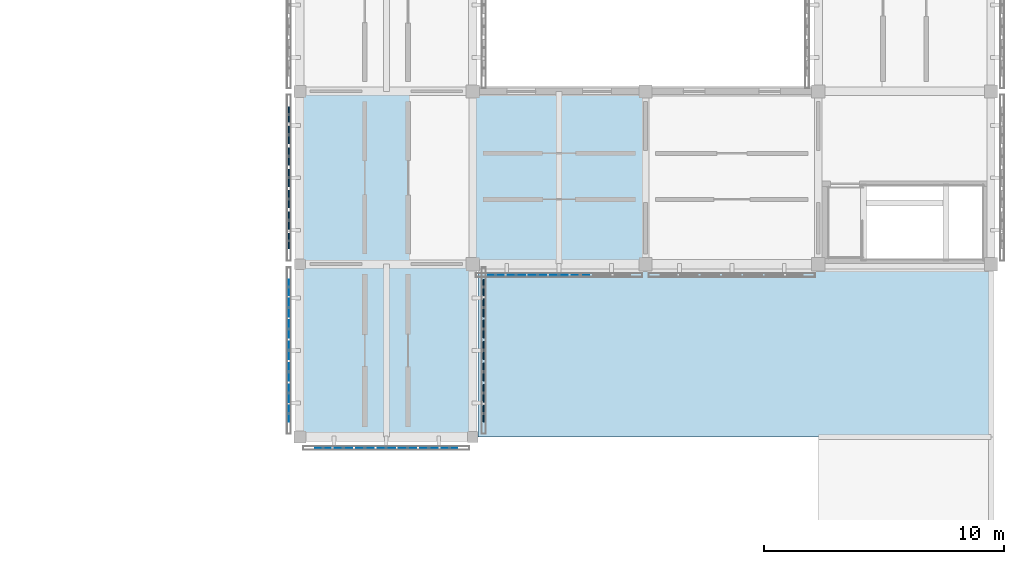
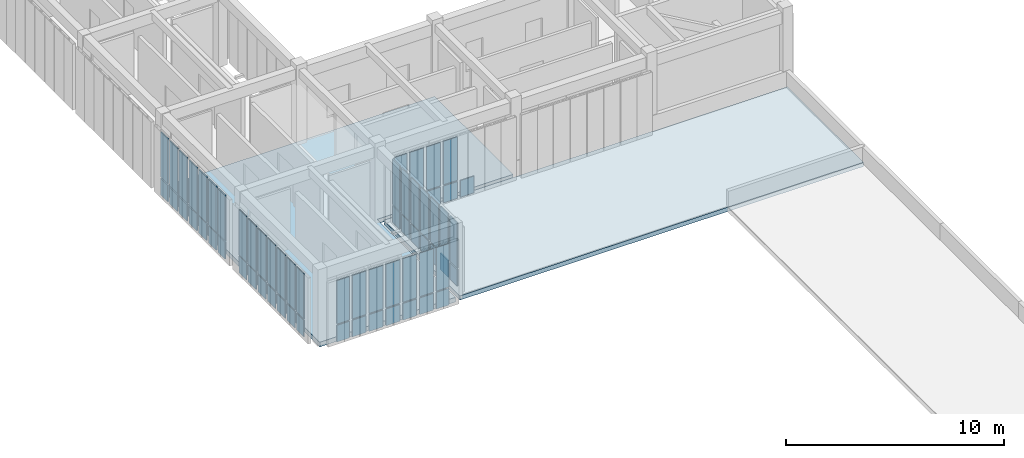
# One storey, part 55 of 91: 65 plates, 2 slabs, 5 elements without a shape of their own.
"""IFC4 building model written with IfcOpenShell, lengths in metres."""

from ifc_helpers import new_model, si_unit, direction, frame, origin, origin_2d, place, context, subcontext, project, spatial, polyline, rectangle, outline, extrude, material, layer, layer_set, type_object, element, aggregate, save


model = new_model("IFC4")

# Units and contexts
model_context = context("Model", 3, precision=1e-05, world=origin(), true_north=direction((0.0, 1.0)))
body_context = subcontext(model_context, "Body", "Model", "MODEL_VIEW")
ifc_project = project(units=[si_unit("LENGTHUNIT", "METRE"), si_unit("AREAUNIT", "SQUARE_METRE"), si_unit("VOLUMEUNIT", "CUBIC_METRE"), si_unit("PLANEANGLEUNIT", "RADIAN"), si_unit("MASSUNIT", "GRAM", prefix="KILO")], contexts=[model_context])

# Site, building, storey
site_placement = place(None, origin())
site = spatial("IfcSite", under=ifc_project, at=site_placement, CompositionType="ELEMENT")
building_placement = place(site_placement, origin())
building = spatial("IfcBuilding", under=site, at=building_placement, Name="Aldebral Square Health Centre", CompositionType="ELEMENT")
storey_placement = place(building_placement, frame((0.0, 0.0, 9.0)))
storey = spatial("IfcBuildingStorey", under=building, at=storey_placement, Name="L02", CompositionType="ELEMENT", Elevation=9.0)

# Curtain wall, plates
ifc_material_1 = material(Name="Aluminium and low-E solar glass", Category="aluminium")
curtain_wall_type = type_object("IfcCurtainWallType", Name="CW-FIN-SYS", PredefinedType="USERDEFINED", material=ifc_material_1)
curtain_wall_1_placement = place(storey_placement, origin())
curtain_wall_1 = element("IfcCurtainWall", 1, at=curtain_wall_1_placement, inside=storey, type_object=curtain_wall_type, Name="L02 V5 finned curtain wall L02-V5-19-07-S", ObjectType="SOLAR_CURTAIN_WALL", PredefinedType="USERDEFINED")
ifc_material_2 = material(Name="Solar-control low-E double glass", Category="glass")
ifc_layer_1 = layer(ifc_material_2, 0.030029296875, Name="Solar-control low-E double glass", Category="glass")
ifc_layer_set_1 = layer_set([ifc_layer_1], Name="Solar-control low-E double glass")
plate_type_1 = type_object("IfcPlateType", Name="CWP-GLZ-2", PredefinedType="CURTAIN_PANEL", material=ifc_layer_set_1)
plate_1_placement = place(storey_placement, frame((137.765625, 49.93994140625, 0.074951171875), z_axis=(0.0, 0.0, 1.0), x_axis=(1.0, 0.0, 0.0)))
plate_1 = element("IfcPlate", 2, at=plate_1_placement, type_object=plate_type_1, Name="CW1 panel 1.1", PredefinedType="CURTAIN_PANEL", context=body_context, shape_type="SweptSolid", body=[
    extrude(rectangle(XDim=0.6513671875, YDim=0.030029296875, at=origin_2d()), origin(), (0.0, 0.0, 1.0), 0.9375),
])
plate_2_placement = place(storey_placement, frame((137.765625, 49.93994140625, 1.08740234375), z_axis=(0.0, 0.0, 1.0), x_axis=(1.0, 0.0, 0.0)))
plate_2 = element("IfcPlate", 3, at=plate_2_placement, type_object=plate_type_1, Name="CW1 panel 1.2", PredefinedType="CURTAIN_PANEL", context=body_context, shape_type="SweptSolid", body=[
    extrude(rectangle(XDim=0.6513671875, YDim=0.030029296875, at=origin_2d()), origin(), (0.0, 0.0, 1.0), 2.427490234375),
])
plate_3_placement = place(storey_placement, frame((138.6171875, 49.93994140625, 0.074951171875), z_axis=(0.0, 0.0, 1.0), x_axis=(1.0, 0.0, 0.0)))
plate_3 = element("IfcPlate", 4, at=plate_3_placement, type_object=plate_type_1, Name="CW1 panel 2.1", PredefinedType="CURTAIN_PANEL", context=body_context, shape_type="SweptSolid", body=[
    extrude(rectangle(XDim=0.7314453125, YDim=0.030029296875, at=origin_2d()), origin(), (0.0, 0.0, 1.0), 0.9375),
])
plate_4_placement = place(storey_placement, frame((138.6171875, 49.93994140625, 1.08740234375), z_axis=(0.0, 0.0, 1.0), x_axis=(1.0, 0.0, 0.0)))
plate_4 = element("IfcPlate", 5, at=plate_4_placement, type_object=plate_type_1, Name="CW1 panel 2.2", PredefinedType="CURTAIN_PANEL", context=body_context, shape_type="SweptSolid", body=[
    extrude(rectangle(XDim=0.7314453125, YDim=0.030029296875, at=origin_2d()), origin(), (0.0, 0.0, 1.0), 2.427490234375),
])
plate_5_placement = place(storey_placement, frame((139.508544921875, 49.93994140625, 0.074951171875), z_axis=(0.0, 0.0, 1.0), x_axis=(1.0, 0.0, 0.0)))
plate_5 = element("IfcPlate", 6, at=plate_5_placement, type_object=plate_type_1, Name="CW1 panel 3.1", PredefinedType="CURTAIN_PANEL", context=body_context, shape_type="SweptSolid", body=[
    extrude(rectangle(XDim=0.7314453125, YDim=0.030029296875, at=origin_2d()), origin(), (0.0, 0.0, 1.0), 0.9375),
])
plate_6_placement = place(storey_placement, frame((139.508544921875, 49.93994140625, 1.08740234375), z_axis=(0.0, 0.0, 1.0), x_axis=(1.0, 0.0, 0.0)))
plate_6 = element("IfcPlate", 7, at=plate_6_placement, type_object=plate_type_1, Name="CW1 panel 3.2", PredefinedType="CURTAIN_PANEL", context=body_context, shape_type="SweptSolid", body=[
    extrude(rectangle(XDim=0.7314453125, YDim=0.030029296875, at=origin_2d()), origin(), (0.0, 0.0, 1.0), 2.427490234375),
])
plate_7_placement = place(storey_placement, frame((140.39990234375, 49.93994140625, 0.074951171875), z_axis=(0.0, 0.0, 1.0), x_axis=(1.0, 0.0, 0.0)))
plate_7 = element("IfcPlate", 8, at=plate_7_placement, type_object=plate_type_1, Name="CW1 panel 4.1", PredefinedType="CURTAIN_PANEL", context=body_context, shape_type="SweptSolid", body=[
    extrude(rectangle(XDim=0.7314453125, YDim=0.030029296875, at=origin_2d()), origin(), (0.0, 0.0, 1.0), 0.9375),
])
plate_8_placement = place(storey_placement, frame((140.39990234375, 49.93994140625, 1.08740234375), z_axis=(0.0, 0.0, 1.0), x_axis=(1.0, 0.0, 0.0)))
plate_8 = element("IfcPlate", 9, at=plate_8_placement, type_object=plate_type_1, Name="CW1 panel 4.2", PredefinedType="CURTAIN_PANEL", context=body_context, shape_type="SweptSolid", body=[
    extrude(rectangle(XDim=0.7314453125, YDim=0.030029296875, at=origin_2d()), origin(), (0.0, 0.0, 1.0), 2.427490234375),
])
plate_9_placement = place(storey_placement, frame((141.29150390625, 49.93994140625, 0.074951171875), z_axis=(0.0, 0.0, 1.0), x_axis=(1.0, 0.0, 0.0)))
plate_9 = element("IfcPlate", 10, at=plate_9_placement, type_object=plate_type_1, Name="CW1 panel 5.1", PredefinedType="CURTAIN_PANEL", context=body_context, shape_type="SweptSolid", body=[
    extrude(rectangle(XDim=0.7314453125, YDim=0.030029296875, at=origin_2d()), origin(), (0.0, 0.0, 1.0), 0.9375),
])
plate_10_placement = place(storey_placement, frame((141.29150390625, 49.93994140625, 1.08740234375), z_axis=(0.0, 0.0, 1.0), x_axis=(1.0, 0.0, 0.0)))
plate_10 = element("IfcPlate", 11, at=plate_10_placement, type_object=plate_type_1, Name="CW1 panel 5.2", PredefinedType="CURTAIN_PANEL", context=body_context, shape_type="SweptSolid", body=[
    extrude(rectangle(XDim=0.7314453125, YDim=0.030029296875, at=origin_2d()), origin(), (0.0, 0.0, 1.0), 2.427490234375),
])
plate_11_placement = place(storey_placement, frame((142.182861328125, 49.93994140625, 0.074951171875), z_axis=(0.0, 0.0, 1.0), x_axis=(1.0, 0.0, 0.0)))
plate_11 = element("IfcPlate", 12, at=plate_11_placement, type_object=plate_type_1, Name="CW1 panel 6.1", PredefinedType="CURTAIN_PANEL", context=body_context, shape_type="SweptSolid", body=[
    extrude(rectangle(XDim=0.7314453125, YDim=0.030029296875, at=origin_2d()), origin(), (0.0, 0.0, 1.0), 0.9375),
])
plate_12_placement = place(storey_placement, frame((142.182861328125, 49.93994140625, 1.08740234375), z_axis=(0.0, 0.0, 1.0), x_axis=(1.0, 0.0, 0.0)))
plate_12 = element("IfcPlate", 13, at=plate_12_placement, type_object=plate_type_1, Name="CW1 panel 6.2", PredefinedType="CURTAIN_PANEL", context=body_context, shape_type="SweptSolid", body=[
    extrude(rectangle(XDim=0.7314453125, YDim=0.030029296875, at=origin_2d()), origin(), (0.0, 0.0, 1.0), 2.427490234375),
])
plate_13_placement = place(storey_placement, frame((143.0341796875, 49.93994140625, 0.074951171875), z_axis=(0.0, 0.0, 1.0), x_axis=(1.0, 0.0, 0.0)))
plate_13 = element("IfcPlate", 14, at=plate_13_placement, type_object=plate_type_1, Name="CW1 panel 7.1", PredefinedType="CURTAIN_PANEL", context=body_context, shape_type="SweptSolid", body=[
    extrude(rectangle(XDim=0.6513671875, YDim=0.030029296875, at=origin_2d()), origin(), (0.0, 0.0, 1.0), 0.9375),
])
plate_14_placement = place(storey_placement, frame((143.0341796875, 49.93994140625, 1.08740234375), z_axis=(0.0, 0.0, 1.0), x_axis=(1.0, 0.0, 0.0)))
plate_14 = element("IfcPlate", 15, at=plate_14_placement, type_object=plate_type_1, Name="CW1 panel 7.2", PredefinedType="CURTAIN_PANEL", context=body_context, shape_type="SweptSolid", body=[
    extrude(rectangle(XDim=0.6513671875, YDim=0.030029296875, at=origin_2d()), origin(), (0.0, 0.0, 1.0), 2.427490234375),
])
aggregate(curtain_wall_1, [plate_1, plate_2, plate_3, plate_4, plate_5, plate_6, plate_7, plate_8, plate_9, plate_10, plate_11, plate_12, plate_13, plate_14])

curtain_wall_2_placement = place(storey_placement, origin())
curtain_wall_2 = element("IfcCurtainWall", 16, at=curtain_wall_2_placement, inside=storey, type_object=curtain_wall_type, Name="L02 V5 finned curtain wall L02-V5-20-08-S", ObjectType="SOLAR_CURTAIN_WALL", PredefinedType="USERDEFINED")
plate_15_placement = place(storey_placement, frame((144.9658203125, 57.139892578125, 0.074951171875), z_axis=(0.0, 0.0, 1.0), x_axis=(1.0, 0.0, 0.0)))
plate_15 = element("IfcPlate", 17, at=plate_15_placement, type_object=plate_type_1, Name="CW1 panel 1.1", PredefinedType="CURTAIN_PANEL", context=body_context, shape_type="SweptSolid", body=[
    extrude(rectangle(XDim=0.6513671875, YDim=0.030029296875, at=origin_2d()), origin(), (0.0, 0.0, 1.0), 0.9375),
])
plate_16_placement = place(storey_placement, frame((144.9658203125, 57.139892578125, 1.08740234375), z_axis=(0.0, 0.0, 1.0), x_axis=(1.0, 0.0, 0.0)))
plate_16 = element("IfcPlate", 18, at=plate_16_placement, type_object=plate_type_1, Name="CW1 panel 1.2", PredefinedType="CURTAIN_PANEL", context=body_context, shape_type="SweptSolid", body=[
    extrude(rectangle(XDim=0.6513671875, YDim=0.030029296875, at=origin_2d()), origin(), (0.0, 0.0, 1.0), 2.427490234375),
])
plate_17_placement = place(storey_placement, frame((145.817138671875, 57.139892578125, 0.074951171875), z_axis=(0.0, 0.0, 1.0), x_axis=(1.0, 0.0, 0.0)))
plate_17 = element("IfcPlate", 19, at=plate_17_placement, type_object=plate_type_1, Name="CW1 panel 2.1", PredefinedType="CURTAIN_PANEL", context=body_context, shape_type="SweptSolid", body=[
    extrude(rectangle(XDim=0.7314453125, YDim=0.030029296875, at=origin_2d()), origin(), (0.0, 0.0, 1.0), 0.9375),
])
plate_18_placement = place(storey_placement, frame((145.817138671875, 57.139892578125, 1.08740234375), z_axis=(0.0, 0.0, 1.0), x_axis=(1.0, 0.0, 0.0)))
plate_18 = element("IfcPlate", 20, at=plate_18_placement, type_object=plate_type_1, Name="CW1 panel 2.2", PredefinedType="CURTAIN_PANEL", context=body_context, shape_type="SweptSolid", body=[
    extrude(rectangle(XDim=0.7314453125, YDim=0.030029296875, at=origin_2d()), origin(), (0.0, 0.0, 1.0), 2.427490234375),
])
plate_19_placement = place(storey_placement, frame((146.70849609375, 57.139892578125, 0.074951171875), z_axis=(0.0, 0.0, 1.0), x_axis=(1.0, 0.0, 0.0)))
plate_19 = element("IfcPlate", 21, at=plate_19_placement, type_object=plate_type_1, Name="CW1 panel 3.1", PredefinedType="CURTAIN_PANEL", context=body_context, shape_type="SweptSolid", body=[
    extrude(rectangle(XDim=0.7314453125, YDim=0.030029296875, at=origin_2d()), origin(), (0.0, 0.0, 1.0), 0.9375),
])
plate_20_placement = place(storey_placement, frame((146.70849609375, 57.139892578125, 1.08740234375), z_axis=(0.0, 0.0, 1.0), x_axis=(1.0, 0.0, 0.0)))
plate_20 = element("IfcPlate", 22, at=plate_20_placement, type_object=plate_type_1, Name="CW1 panel 3.2", PredefinedType="CURTAIN_PANEL", context=body_context, shape_type="SweptSolid", body=[
    extrude(rectangle(XDim=0.7314453125, YDim=0.030029296875, at=origin_2d()), origin(), (0.0, 0.0, 1.0), 2.427490234375),
])
plate_21_placement = place(storey_placement, frame((147.60009765625, 57.139892578125, 0.074951171875), z_axis=(0.0, 0.0, 1.0), x_axis=(1.0, 0.0, 0.0)))
plate_21 = element("IfcPlate", 23, at=plate_21_placement, type_object=plate_type_1, Name="CW1 panel 4.1", PredefinedType="CURTAIN_PANEL", context=body_context, shape_type="SweptSolid", body=[
    extrude(rectangle(XDim=0.7314453125, YDim=0.030029296875, at=origin_2d()), origin(), (0.0, 0.0, 1.0), 0.9375),
])
plate_22_placement = place(storey_placement, frame((147.60009765625, 57.139892578125, 1.08740234375), z_axis=(0.0, 0.0, 1.0), x_axis=(1.0, 0.0, 0.0)))
plate_22 = element("IfcPlate", 24, at=plate_22_placement, type_object=plate_type_1, Name="CW1 panel 4.2", PredefinedType="CURTAIN_PANEL", context=body_context, shape_type="SweptSolid", body=[
    extrude(rectangle(XDim=0.7314453125, YDim=0.030029296875, at=origin_2d()), origin(), (0.0, 0.0, 1.0), 2.427490234375),
])
plate_23_placement = place(storey_placement, frame((148.491455078125, 57.139892578125, 0.074951171875), z_axis=(0.0, 0.0, 1.0), x_axis=(1.0, 0.0, 0.0)))
plate_23 = element("IfcPlate", 25, at=plate_23_placement, type_object=plate_type_1, Name="CW1 panel 5.1", PredefinedType="CURTAIN_PANEL", context=body_context, shape_type="SweptSolid", body=[
    extrude(rectangle(XDim=0.7314453125, YDim=0.030029296875, at=origin_2d()), origin(), (0.0, 0.0, 1.0), 0.9375),
])
aggregate(curtain_wall_2, [plate_15, plate_16, plate_17, plate_18, plate_19, plate_20, plate_21, plate_22, plate_23])

curtain_wall_3_placement = place(storey_placement, origin())
curtain_wall_3 = element("IfcCurtainWall", 26, at=curtain_wall_3_placement, inside=storey, type_object=curtain_wall_type, Name="L02 V5 finned curtain wall L02-V5-19-07-W", ObjectType="SOLAR_CURTAIN_WALL", PredefinedType="USERDEFINED")
ifc_layer_2 = layer(ifc_material_2, 0.0400390625, Name="Solar-control low-E double glass", Category="glass")
ifc_layer_set_2 = layer_set([ifc_layer_2], Name="Solar-control low-E double glass")
plate_type_2 = type_object("IfcPlateType", Name="CWP-GLZ-3", PredefinedType="CURTAIN_PANEL", material=ifc_layer_set_2)
plate_24_placement = place(storey_placement, frame((136.340087890625, 56.63427734375, 0.074951171875), z_axis=(0.0, 0.0, 1.0), x_axis=(0.0, -1.0, 0.0)))
plate_24 = element("IfcPlate", 27, at=plate_24_placement, type_object=plate_type_2, Name="CW1 panel 1.1", PredefinedType="CURTAIN_PANEL", context=body_context, shape_type="SweptSolid", body=[
    extrude(rectangle(XDim=0.6513671875, YDim=0.0400390625, at=origin_2d()), origin(), (0.0, 0.0, 1.0), 0.9375),
])
plate_25_placement = place(storey_placement, frame((136.340087890625, 56.63427734375, 1.08740234375), z_axis=(0.0, 0.0, 1.0), x_axis=(0.0, -1.0, 0.0)))
plate_25 = element("IfcPlate", 28, at=plate_25_placement, type_object=plate_type_2, Name="CW1 panel 1.2", PredefinedType="CURTAIN_PANEL", context=body_context, shape_type="SweptSolid", body=[
    extrude(rectangle(XDim=0.6513671875, YDim=0.0400390625, at=origin_2d()), origin(), (0.0, 0.0, 1.0), 2.527587890625),
])
plate_26_placement = place(storey_placement, frame((136.340087890625, 55.782958984375, 0.074951171875), z_axis=(0.0, 0.0, 1.0), x_axis=(0.0, -1.0, 0.0)))
plate_26 = element("IfcPlate", 29, at=plate_26_placement, type_object=plate_type_2, Name="CW1 panel 2.1", PredefinedType="CURTAIN_PANEL", context=body_context, shape_type="SweptSolid", body=[
    extrude(rectangle(XDim=0.7314453125, YDim=0.0400390625, at=origin_2d()), origin(), (0.0, 0.0, 1.0), 0.9375),
])
plate_27_placement = place(storey_placement, frame((136.340087890625, 55.782958984375, 1.08740234375), z_axis=(0.0, 0.0, 1.0), x_axis=(0.0, -1.0, 0.0)))
plate_27 = element("IfcPlate", 30, at=plate_27_placement, type_object=plate_type_2, Name="CW1 panel 2.2", PredefinedType="CURTAIN_PANEL", context=body_context, shape_type="SweptSolid", body=[
    extrude(rectangle(XDim=0.7314453125, YDim=0.0400390625, at=origin_2d()), origin(), (0.0, 0.0, 1.0), 2.527587890625),
])
plate_28_placement = place(storey_placement, frame((136.340087890625, 54.891357421875, 0.074951171875), z_axis=(0.0, 0.0, 1.0), x_axis=(0.0, -1.0, 0.0)))
plate_28 = element("IfcPlate", 31, at=plate_28_placement, type_object=plate_type_2, Name="CW1 panel 3.1", PredefinedType="CURTAIN_PANEL", context=body_context, shape_type="SweptSolid", body=[
    extrude(rectangle(XDim=0.7314453125, YDim=0.0400390625, at=origin_2d()), origin(), (0.0, 0.0, 1.0), 0.9375),
])
plate_29_placement = place(storey_placement, frame((136.340087890625, 54.891357421875, 1.08740234375), z_axis=(0.0, 0.0, 1.0), x_axis=(0.0, -1.0, 0.0)))
plate_29 = element("IfcPlate", 32, at=plate_29_placement, type_object=plate_type_2, Name="CW1 panel 3.2", PredefinedType="CURTAIN_PANEL", context=body_context, shape_type="SweptSolid", body=[
    extrude(rectangle(XDim=0.7314453125, YDim=0.0400390625, at=origin_2d()), origin(), (0.0, 0.0, 1.0), 2.527587890625),
])
plate_30_placement = place(storey_placement, frame((136.340087890625, 54.0, 0.074951171875), z_axis=(0.0, 0.0, 1.0), x_axis=(0.0, -1.0, 0.0)))
plate_30 = element("IfcPlate", 33, at=plate_30_placement, type_object=plate_type_2, Name="CW1 panel 4.1", PredefinedType="CURTAIN_PANEL", context=body_context, shape_type="SweptSolid", body=[
    extrude(rectangle(XDim=0.7314453125, YDim=0.0400390625, at=origin_2d()), origin(), (0.0, 0.0, 1.0), 0.9375),
])
plate_31_placement = place(storey_placement, frame((136.340087890625, 54.0, 1.08740234375), z_axis=(0.0, 0.0, 1.0), x_axis=(0.0, -1.0, 0.0)))
plate_31 = element("IfcPlate", 34, at=plate_31_placement, type_object=plate_type_2, Name="CW1 panel 4.2", PredefinedType="CURTAIN_PANEL", context=body_context, shape_type="SweptSolid", body=[
    extrude(rectangle(XDim=0.7314453125, YDim=0.0400390625, at=origin_2d()), origin(), (0.0, 0.0, 1.0), 2.527587890625),
])
plate_32_placement = place(storey_placement, frame((136.340087890625, 53.108642578125, 0.074951171875), z_axis=(0.0, 0.0, 1.0), x_axis=(0.0, -1.0, 0.0)))
plate_32 = element("IfcPlate", 35, at=plate_32_placement, type_object=plate_type_2, Name="CW1 panel 5.1", PredefinedType="CURTAIN_PANEL", context=body_context, shape_type="SweptSolid", body=[
    extrude(rectangle(XDim=0.7314453125, YDim=0.0400390625, at=origin_2d()), origin(), (0.0, 0.0, 1.0), 0.9375),
])
plate_33_placement = place(storey_placement, frame((136.340087890625, 53.108642578125, 1.08740234375), z_axis=(0.0, 0.0, 1.0), x_axis=(0.0, -1.0, 0.0)))
plate_33 = element("IfcPlate", 36, at=plate_33_placement, type_object=plate_type_2, Name="CW1 panel 5.2", PredefinedType="CURTAIN_PANEL", context=body_context, shape_type="SweptSolid", body=[
    extrude(rectangle(XDim=0.7314453125, YDim=0.0400390625, at=origin_2d()), origin(), (0.0, 0.0, 1.0), 2.527587890625),
])
plate_34_placement = place(storey_placement, frame((136.340087890625, 52.217041015625, 0.074951171875), z_axis=(0.0, 0.0, 1.0), x_axis=(0.0, -1.0, 0.0)))
plate_34 = element("IfcPlate", 37, at=plate_34_placement, type_object=plate_type_2, Name="CW1 panel 6.1", PredefinedType="CURTAIN_PANEL", context=body_context, shape_type="SweptSolid", body=[
    extrude(rectangle(XDim=0.7314453125, YDim=0.0400390625, at=origin_2d()), origin(), (0.0, 0.0, 1.0), 0.9375),
])
plate_35_placement = place(storey_placement, frame((136.340087890625, 52.217041015625, 1.08740234375), z_axis=(0.0, 0.0, 1.0), x_axis=(0.0, -1.0, 0.0)))
plate_35 = element("IfcPlate", 38, at=plate_35_placement, type_object=plate_type_2, Name="CW1 panel 6.2", PredefinedType="CURTAIN_PANEL", context=body_context, shape_type="SweptSolid", body=[
    extrude(rectangle(XDim=0.7314453125, YDim=0.0400390625, at=origin_2d()), origin(), (0.0, 0.0, 1.0), 2.527587890625),
])
plate_36_placement = place(storey_placement, frame((136.340087890625, 51.36572265625, 0.074951171875), z_axis=(0.0, 0.0, 1.0), x_axis=(0.0, -1.0, 0.0)))
plate_36 = element("IfcPlate", 39, at=plate_36_placement, type_object=plate_type_2, Name="CW1 panel 7.1", PredefinedType="CURTAIN_PANEL", context=body_context, shape_type="SweptSolid", body=[
    extrude(rectangle(XDim=0.6513671875, YDim=0.0400390625, at=origin_2d()), origin(), (0.0, 0.0, 1.0), 0.9375),
])
plate_37_placement = place(storey_placement, frame((136.340087890625, 51.36572265625, 1.08740234375), z_axis=(0.0, 0.0, 1.0), x_axis=(0.0, -1.0, 0.0)))
plate_37 = element("IfcPlate", 40, at=plate_37_placement, type_object=plate_type_2, Name="CW1 panel 7.2", PredefinedType="CURTAIN_PANEL", context=body_context, shape_type="SweptSolid", body=[
    extrude(rectangle(XDim=0.6513671875, YDim=0.0400390625, at=origin_2d()), origin(), (0.0, 0.0, 1.0), 2.527587890625),
])
aggregate(curtain_wall_3, [plate_24, plate_25, plate_26, plate_27, plate_28, plate_29, plate_30, plate_31, plate_32, plate_33, plate_34, plate_35, plate_36, plate_37])

curtain_wall_4_placement = place(storey_placement, origin())
curtain_wall_4 = element("IfcCurtainWall", 41, at=curtain_wall_4_placement, inside=storey, type_object=curtain_wall_type, Name="L02 V5 finned curtain wall L02-V5-19-07-E", ObjectType="SOLAR_CURTAIN_WALL", PredefinedType="USERDEFINED")
ifc_layer_3 = layer(ifc_material_2, 0.050048828125, Name="Solar-control low-E double glass", Category="glass")
ifc_layer_set_3 = layer_set([ifc_layer_3], Name="Solar-control low-E double glass")
plate_type_3 = type_object("IfcPlateType", Name="CWP-GLZ-4", PredefinedType="CURTAIN_PANEL", material=ifc_layer_set_3)
plate_38_placement = place(storey_placement, frame((144.4599609375, 51.36572265625, 0.074951171875), z_axis=(0.0, 0.0, 1.0), x_axis=(0.0, 1.0, 0.0)))
plate_38 = element("IfcPlate", 42, at=plate_38_placement, type_object=plate_type_3, Name="CW1 panel 1.1", PredefinedType="CURTAIN_PANEL", context=body_context, shape_type="SweptSolid", body=[
    extrude(rectangle(XDim=0.6513671875, YDim=0.050048828125, at=origin_2d()), origin(), (0.0, 0.0, 1.0), 0.9375),
])
plate_39_placement = place(storey_placement, frame((144.4599609375, 51.36572265625, 1.08740234375), z_axis=(0.0, 0.0, 1.0), x_axis=(0.0, 1.0, 0.0)))
plate_39 = element("IfcPlate", 43, at=plate_39_placement, type_object=plate_type_3, Name="CW1 panel 1.2", PredefinedType="CURTAIN_PANEL", context=body_context, shape_type="SweptSolid", body=[
    extrude(rectangle(XDim=0.6513671875, YDim=0.050048828125, at=origin_2d()), origin(), (0.0, 0.0, 1.0), 2.527587890625),
])
plate_40_placement = place(storey_placement, frame((144.4599609375, 52.217041015625, 0.074951171875), z_axis=(0.0, 0.0, 1.0), x_axis=(0.0, 1.0, 0.0)))
plate_40 = element("IfcPlate", 44, at=plate_40_placement, type_object=plate_type_3, Name="CW1 panel 2.1", PredefinedType="CURTAIN_PANEL", context=body_context, shape_type="SweptSolid", body=[
    extrude(rectangle(XDim=0.7314453125, YDim=0.050048828125, at=origin_2d()), origin(), (0.0, 0.0, 1.0), 0.9375),
])
plate_41_placement = place(storey_placement, frame((144.4599609375, 52.217041015625, 1.08740234375), z_axis=(0.0, 0.0, 1.0), x_axis=(0.0, 1.0, 0.0)))
plate_41 = element("IfcPlate", 45, at=plate_41_placement, type_object=plate_type_3, Name="CW1 panel 2.2", PredefinedType="CURTAIN_PANEL", context=body_context, shape_type="SweptSolid", body=[
    extrude(rectangle(XDim=0.7314453125, YDim=0.050048828125, at=origin_2d()), origin(), (0.0, 0.0, 1.0), 2.527587890625),
])
plate_42_placement = place(storey_placement, frame((144.4599609375, 53.108642578125, 0.074951171875), z_axis=(0.0, 0.0, 1.0), x_axis=(0.0, 1.0, 0.0)))
plate_42 = element("IfcPlate", 46, at=plate_42_placement, type_object=plate_type_3, Name="CW1 panel 3.1", PredefinedType="CURTAIN_PANEL", context=body_context, shape_type="SweptSolid", body=[
    extrude(rectangle(XDim=0.7314453125, YDim=0.050048828125, at=origin_2d()), origin(), (0.0, 0.0, 1.0), 0.9375),
])
plate_43_placement = place(storey_placement, frame((144.4599609375, 53.108642578125, 1.08740234375), z_axis=(0.0, 0.0, 1.0), x_axis=(0.0, 1.0, 0.0)))
plate_43 = element("IfcPlate", 47, at=plate_43_placement, type_object=plate_type_3, Name="CW1 panel 3.2", PredefinedType="CURTAIN_PANEL", context=body_context, shape_type="SweptSolid", body=[
    extrude(rectangle(XDim=0.7314453125, YDim=0.050048828125, at=origin_2d()), origin(), (0.0, 0.0, 1.0), 2.527587890625),
])
plate_44_placement = place(storey_placement, frame((144.4599609375, 54.0, 0.074951171875), z_axis=(0.0, 0.0, 1.0), x_axis=(0.0, 1.0, 0.0)))
plate_44 = element("IfcPlate", 48, at=plate_44_placement, type_object=plate_type_3, Name="CW1 panel 4.1", PredefinedType="CURTAIN_PANEL", context=body_context, shape_type="SweptSolid", body=[
    extrude(rectangle(XDim=0.7314453125, YDim=0.050048828125, at=origin_2d()), origin(), (0.0, 0.0, 1.0), 0.9375),
])
plate_45_placement = place(storey_placement, frame((144.4599609375, 54.0, 1.08740234375), z_axis=(0.0, 0.0, 1.0), x_axis=(0.0, 1.0, 0.0)))
plate_45 = element("IfcPlate", 49, at=plate_45_placement, type_object=plate_type_3, Name="CW1 panel 4.2", PredefinedType="CURTAIN_PANEL", context=body_context, shape_type="SweptSolid", body=[
    extrude(rectangle(XDim=0.7314453125, YDim=0.050048828125, at=origin_2d()), origin(), (0.0, 0.0, 1.0), 2.527587890625),
])
plate_46_placement = place(storey_placement, frame((144.4599609375, 54.891357421875, 0.074951171875), z_axis=(0.0, 0.0, 1.0), x_axis=(0.0, 1.0, 0.0)))
plate_46 = element("IfcPlate", 50, at=plate_46_placement, type_object=plate_type_3, Name="CW1 panel 5.1", PredefinedType="CURTAIN_PANEL", context=body_context, shape_type="SweptSolid", body=[
    extrude(rectangle(XDim=0.7314453125, YDim=0.050048828125, at=origin_2d()), origin(), (0.0, 0.0, 1.0), 0.9375),
])
plate_47_placement = place(storey_placement, frame((144.4599609375, 54.891357421875, 1.08740234375), z_axis=(0.0, 0.0, 1.0), x_axis=(0.0, 1.0, 0.0)))
plate_47 = element("IfcPlate", 51, at=plate_47_placement, type_object=plate_type_3, Name="CW1 panel 5.2", PredefinedType="CURTAIN_PANEL", context=body_context, shape_type="SweptSolid", body=[
    extrude(rectangle(XDim=0.7314453125, YDim=0.050048828125, at=origin_2d()), origin(), (0.0, 0.0, 1.0), 2.527587890625),
])
plate_48_placement = place(storey_placement, frame((144.4599609375, 55.782958984375, 0.074951171875), z_axis=(0.0, 0.0, 1.0), x_axis=(0.0, 1.0, 0.0)))
plate_48 = element("IfcPlate", 52, at=plate_48_placement, type_object=plate_type_3, Name="CW1 panel 6.1", PredefinedType="CURTAIN_PANEL", context=body_context, shape_type="SweptSolid", body=[
    extrude(rectangle(XDim=0.7314453125, YDim=0.050048828125, at=origin_2d()), origin(), (0.0, 0.0, 1.0), 0.9375),
])
plate_49_placement = place(storey_placement, frame((144.4599609375, 55.782958984375, 1.08740234375), z_axis=(0.0, 0.0, 1.0), x_axis=(0.0, 1.0, 0.0)))
plate_49 = element("IfcPlate", 53, at=plate_49_placement, type_object=plate_type_3, Name="CW1 panel 6.2", PredefinedType="CURTAIN_PANEL", context=body_context, shape_type="SweptSolid", body=[
    extrude(rectangle(XDim=0.7314453125, YDim=0.050048828125, at=origin_2d()), origin(), (0.0, 0.0, 1.0), 2.527587890625),
])
plate_50_placement = place(storey_placement, frame((144.4599609375, 56.63427734375, 0.074951171875), z_axis=(0.0, 0.0, 1.0), x_axis=(0.0, 1.0, 0.0)))
plate_50 = element("IfcPlate", 54, at=plate_50_placement, type_object=plate_type_3, Name="CW1 panel 7.1", PredefinedType="CURTAIN_PANEL", context=body_context, shape_type="SweptSolid", body=[
    extrude(rectangle(XDim=0.6513671875, YDim=0.050048828125, at=origin_2d()), origin(), (0.0, 0.0, 1.0), 0.9375),
])
plate_51_placement = place(storey_placement, frame((144.4599609375, 56.63427734375, 1.08740234375), z_axis=(0.0, 0.0, 1.0), x_axis=(0.0, 1.0, 0.0)))
plate_51 = element("IfcPlate", 55, at=plate_51_placement, type_object=plate_type_3, Name="CW1 panel 7.2", PredefinedType="CURTAIN_PANEL", context=body_context, shape_type="SweptSolid", body=[
    extrude(rectangle(XDim=0.6513671875, YDim=0.050048828125, at=origin_2d()), origin(), (0.0, 0.0, 1.0), 2.527587890625),
])
aggregate(curtain_wall_4, [plate_38, plate_39, plate_40, plate_41, plate_42, plate_43, plate_44, plate_45, plate_46, plate_47, plate_48, plate_49, plate_50, plate_51])

curtain_wall_5_placement = place(storey_placement, origin())
curtain_wall_5 = element("IfcCurtainWall", 56, at=curtain_wall_5_placement, inside=storey, type_object=curtain_wall_type, Name="L02 V5 finned curtain wall L02-V5-19-08-W", ObjectType="SOLAR_CURTAIN_WALL", PredefinedType="USERDEFINED")
ifc_layer_4 = layer(ifc_material_2, 0.06005859375, Name="Solar-control low-E double glass", Category="glass")
ifc_layer_set_4 = layer_set([ifc_layer_4], Name="Solar-control low-E double glass")
plate_type_4 = type_object("IfcPlateType", Name="CWP-GLZ-5", PredefinedType="CURTAIN_PANEL", material=ifc_layer_set_4)
plate_52_placement = place(storey_placement, frame((136.340087890625, 63.834228515625, 0.074951171875), z_axis=(0.0, 0.0, 1.0), x_axis=(0.0, -1.0, 0.0)))
plate_52 = element("IfcPlate", 57, at=plate_52_placement, type_object=plate_type_4, Name="CW1 panel 1.1", PredefinedType="CURTAIN_PANEL", context=body_context, shape_type="SweptSolid", body=[
    extrude(rectangle(XDim=0.6513671875, YDim=0.06005859375, at=origin_2d()), origin(), (0.0, 0.0, 1.0), 0.9375),
])
plate_53_placement = place(storey_placement, frame((136.340087890625, 63.834228515625, 1.08740234375), z_axis=(0.0, 0.0, 1.0), x_axis=(0.0, -1.0, 0.0)))
plate_53 = element("IfcPlate", 58, at=plate_53_placement, type_object=plate_type_4, Name="CW1 panel 1.2", PredefinedType="CURTAIN_PANEL", context=body_context, shape_type="SweptSolid", body=[
    extrude(rectangle(XDim=0.6513671875, YDim=0.06005859375, at=origin_2d()), origin(), (0.0, 0.0, 1.0), 2.527587890625),
])
plate_54_placement = place(storey_placement, frame((136.340087890625, 62.98291015625, 0.074951171875), z_axis=(0.0, 0.0, 1.0), x_axis=(0.0, -1.0, 0.0)))
plate_54 = element("IfcPlate", 59, at=plate_54_placement, type_object=plate_type_4, Name="CW1 panel 2.1", PredefinedType="CURTAIN_PANEL", context=body_context, shape_type="SweptSolid", body=[
    extrude(rectangle(XDim=0.7314453125, YDim=0.06005859375, at=origin_2d()), origin(), (0.0, 0.0, 1.0), 0.9375),
])
plate_55_placement = place(storey_placement, frame((136.340087890625, 62.98291015625, 1.08740234375), z_axis=(0.0, 0.0, 1.0), x_axis=(0.0, -1.0, 0.0)))
plate_55 = element("IfcPlate", 60, at=plate_55_placement, type_object=plate_type_4, Name="CW1 panel 2.2", PredefinedType="CURTAIN_PANEL", context=body_context, shape_type="SweptSolid", body=[
    extrude(rectangle(XDim=0.7314453125, YDim=0.06005859375, at=origin_2d()), origin(), (0.0, 0.0, 1.0), 2.527587890625),
])
plate_56_placement = place(storey_placement, frame((136.340087890625, 62.09130859375, 0.074951171875), z_axis=(0.0, 0.0, 1.0), x_axis=(0.0, -1.0, 0.0)))
plate_56 = element("IfcPlate", 61, at=plate_56_placement, type_object=plate_type_4, Name="CW1 panel 3.1", PredefinedType="CURTAIN_PANEL", context=body_context, shape_type="SweptSolid", body=[
    extrude(rectangle(XDim=0.7314453125, YDim=0.06005859375, at=origin_2d()), origin(), (0.0, 0.0, 1.0), 0.9375),
])
plate_57_placement = place(storey_placement, frame((136.340087890625, 62.09130859375, 1.08740234375), z_axis=(0.0, 0.0, 1.0), x_axis=(0.0, -1.0, 0.0)))
plate_57 = element("IfcPlate", 62, at=plate_57_placement, type_object=plate_type_4, Name="CW1 panel 3.2", PredefinedType="CURTAIN_PANEL", context=body_context, shape_type="SweptSolid", body=[
    extrude(rectangle(XDim=0.7314453125, YDim=0.06005859375, at=origin_2d()), origin(), (0.0, 0.0, 1.0), 2.527587890625),
])
plate_58_placement = place(storey_placement, frame((136.340087890625, 61.199951171875, 0.074951171875), z_axis=(0.0, 0.0, 1.0), x_axis=(0.0, -1.0, 0.0)))
plate_58 = element("IfcPlate", 63, at=plate_58_placement, type_object=plate_type_4, Name="CW1 panel 4.1", PredefinedType="CURTAIN_PANEL", context=body_context, shape_type="SweptSolid", body=[
    extrude(rectangle(XDim=0.7314453125, YDim=0.06005859375, at=origin_2d()), origin(), (0.0, 0.0, 1.0), 0.9375),
])
plate_59_placement = place(storey_placement, frame((136.340087890625, 61.199951171875, 1.08740234375), z_axis=(0.0, 0.0, 1.0), x_axis=(0.0, -1.0, 0.0)))
plate_59 = element("IfcPlate", 64, at=plate_59_placement, type_object=plate_type_4, Name="CW1 panel 4.2", PredefinedType="CURTAIN_PANEL", context=body_context, shape_type="SweptSolid", body=[
    extrude(rectangle(XDim=0.7314453125, YDim=0.06005859375, at=origin_2d()), origin(), (0.0, 0.0, 1.0), 2.527587890625),
])
plate_60_placement = place(storey_placement, frame((136.340087890625, 60.30859375, 0.074951171875), z_axis=(0.0, 0.0, 1.0), x_axis=(0.0, -1.0, 0.0)))
plate_60 = element("IfcPlate", 65, at=plate_60_placement, type_object=plate_type_4, Name="CW1 panel 5.1", PredefinedType="CURTAIN_PANEL", context=body_context, shape_type="SweptSolid", body=[
    extrude(rectangle(XDim=0.7314453125, YDim=0.06005859375, at=origin_2d()), origin(), (0.0, 0.0, 1.0), 0.9375),
])
plate_61_placement = place(storey_placement, frame((136.340087890625, 60.30859375, 1.08740234375), z_axis=(0.0, 0.0, 1.0), x_axis=(0.0, -1.0, 0.0)))
plate_61 = element("IfcPlate", 66, at=plate_61_placement, type_object=plate_type_4, Name="CW1 panel 5.2", PredefinedType="CURTAIN_PANEL", context=body_context, shape_type="SweptSolid", body=[
    extrude(rectangle(XDim=0.7314453125, YDim=0.06005859375, at=origin_2d()), origin(), (0.0, 0.0, 1.0), 2.527587890625),
])
plate_62_placement = place(storey_placement, frame((136.340087890625, 59.417236328125, 0.074951171875), z_axis=(0.0, 0.0, 1.0), x_axis=(0.0, -1.0, 0.0)))
plate_62 = element("IfcPlate", 67, at=plate_62_placement, type_object=plate_type_4, Name="CW1 panel 6.1", PredefinedType="CURTAIN_PANEL", context=body_context, shape_type="SweptSolid", body=[
    extrude(rectangle(XDim=0.7314453125, YDim=0.06005859375, at=origin_2d()), origin(), (0.0, 0.0, 1.0), 0.9375),
])
plate_63_placement = place(storey_placement, frame((136.340087890625, 59.417236328125, 1.08740234375), z_axis=(0.0, 0.0, 1.0), x_axis=(0.0, -1.0, 0.0)))
plate_63 = element("IfcPlate", 68, at=plate_63_placement, type_object=plate_type_4, Name="CW1 panel 6.2", PredefinedType="CURTAIN_PANEL", context=body_context, shape_type="SweptSolid", body=[
    extrude(rectangle(XDim=0.7314453125, YDim=0.06005859375, at=origin_2d()), origin(), (0.0, 0.0, 1.0), 2.527587890625),
])
plate_64_placement = place(storey_placement, frame((136.340087890625, 58.565673828125, 0.074951171875), z_axis=(0.0, 0.0, 1.0), x_axis=(0.0, -1.0, 0.0)))
plate_64 = element("IfcPlate", 69, at=plate_64_placement, type_object=plate_type_4, Name="CW1 panel 7.1", PredefinedType="CURTAIN_PANEL", context=body_context, shape_type="SweptSolid", body=[
    extrude(rectangle(XDim=0.6513671875, YDim=0.06005859375, at=origin_2d()), origin(), (0.0, 0.0, 1.0), 0.9375),
])
plate_65_placement = place(storey_placement, frame((136.340087890625, 58.565673828125, 1.08740234375), z_axis=(0.0, 0.0, 1.0), x_axis=(0.0, -1.0, 0.0)))
plate_65 = element("IfcPlate", 70, at=plate_65_placement, type_object=plate_type_4, Name="CW1 panel 7.2", PredefinedType="CURTAIN_PANEL", context=body_context, shape_type="SweptSolid", body=[
    extrude(rectangle(XDim=0.6513671875, YDim=0.06005859375, at=origin_2d()), origin(), (0.0, 0.0, 1.0), 2.527587890625),
])
aggregate(curtain_wall_5, [plate_52, plate_53, plate_54, plate_55, plate_56, plate_57, plate_58, plate_59, plate_60, plate_61, plate_62, plate_63, plate_64, plate_65])

# Slabs
ifc_material_3 = material(Name="Concrete C35/45", Category="concrete")
ifc_layer_5 = layer(ifc_material_3, 0.260009765625, Name="Concrete C35/45", Category="concrete")
ifc_layer_set_5 = layer_set([ifc_layer_5], Name="Concrete C35/45")
slab_type_1 = type_object("IfcSlabType", Name="SL-FLR-260", PredefinedType="FLOOR", material=ifc_layer_set_5)
slab_1_placement = place(storey_placement, frame((0.0, 0.0, -0.260009765625)))
element("IfcSlab", 71, at=slab_1_placement, inside=storey, type_object=slab_type_1, Name="L02 V5 floor slab 1", PredefinedType="FLOOR", context=body_context, shape_type="SweptSolid", body=[
    extrude(outline(polyline([(136.800048828125, 50.39990234375), (136.800048828125, 57.60009765625), (136.800048828125, 64.800048828125), (144.0, 64.800048828125), (151.199951171875, 64.800048828125), (151.199951171875, 57.60009765625), (144.0, 57.60009765625), (144.0, 50.39990234375), (136.800048828125, 50.39990234375)])), origin(), (0.0, 0.0, 1.0), 0.260009765625),
])
ifc_layer_6 = layer(ifc_material_3, 0.239990234375, Name="Concrete C35/45", Category="concrete")
ifc_layer_set_6 = layer_set([ifc_layer_6], Name="Concrete C35/45")
slab_type_2 = type_object("IfcSlabType", Name="SL-RF-240", PredefinedType="ROOF", material=ifc_layer_set_6)
slab_2_placement = place(storey_placement, frame((0.0, 0.0, -0.239990234375)))
element("IfcSlab", 72, at=slab_2_placement, inside=storey, type_object=slab_type_2, Name="L01 V5 roof slab 2", PredefinedType="ROOF", context=body_context, shape_type="SweptSolid", body=[
    extrude(outline(polyline([(165.60009765625, 50.39990234375), (158.39990234375, 50.39990234375), (151.199951171875, 50.39990234375), (144.219970703125, 50.39990234375), (144.219970703125, 57.3798828125), (165.60009765625, 57.3798828125), (165.60009765625, 50.39990234375)])), origin(), (0.0, 0.0, 1.0), 0.239990234375),
])

save(model, "model.ifc")
